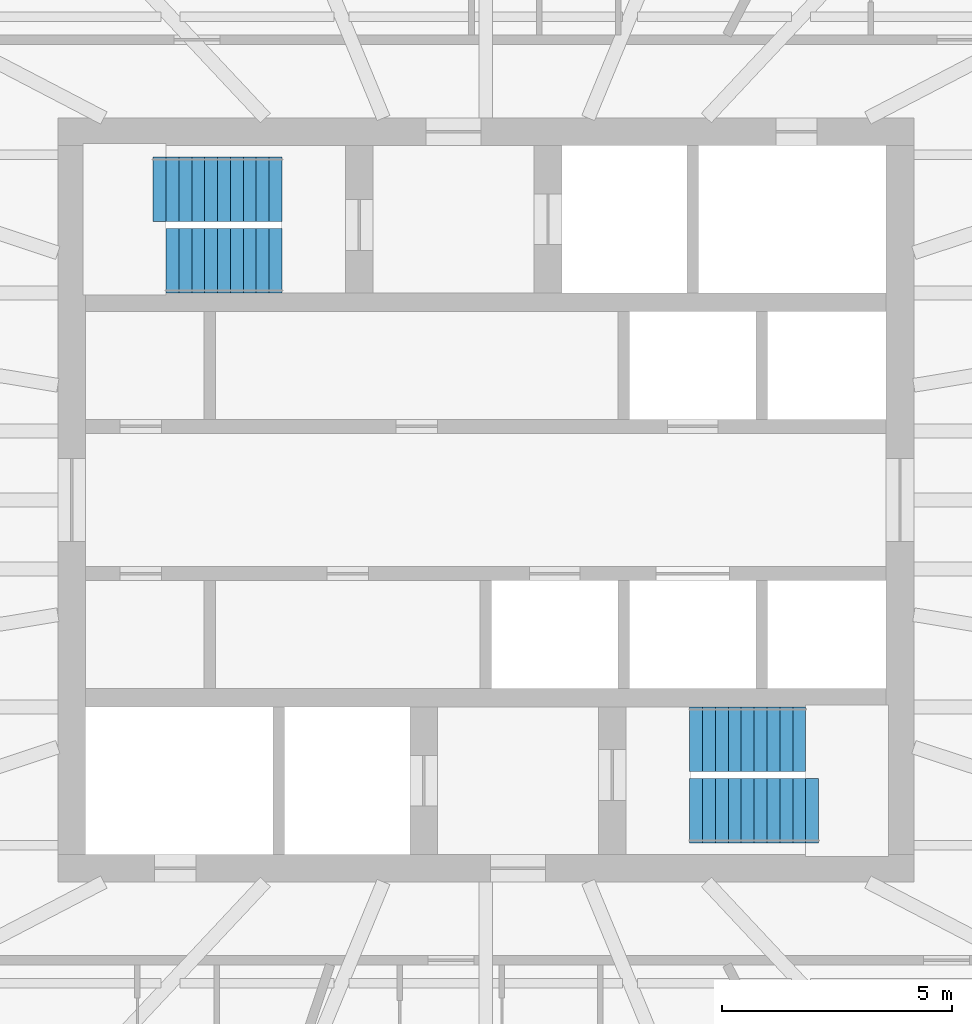
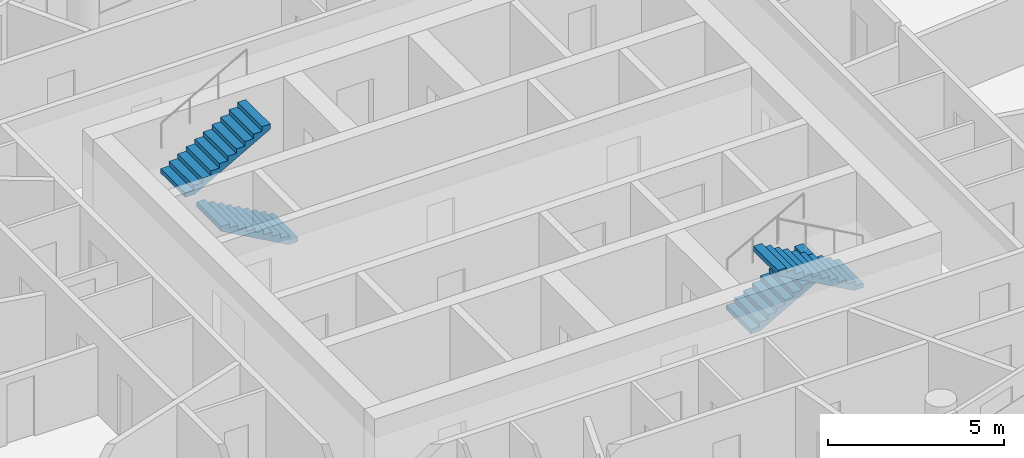
# One storey, part 10 of 11: 4 stair flights, 2 elements without a shape of their own.
"""IFC4 building model written with IfcOpenShell, lengths in metres."""

from ifc_helpers import new_model, si_unit, direction, frame, origin, place, context, subcontext, project, spatial, polyline, outline, extrude, material, type_object, element, aggregate, save


model = new_model("IFC4")

# Units and contexts
model_context = context("Model", 3, precision=1e-05, world=origin(), true_north=direction((0.0, 1.0)))
body_context = subcontext(model_context, "Body", "Model", "MODEL_VIEW")
ifc_project = project(units=[si_unit("LENGTHUNIT", "METRE"), si_unit("AREAUNIT", "SQUARE_METRE"), si_unit("VOLUMEUNIT", "CUBIC_METRE"), si_unit("PLANEANGLEUNIT", "RADIAN"), si_unit("MASSUNIT", "GRAM", prefix="KILO")], contexts=[model_context])

# Site, building, storey
site_placement = place(None, origin())
site = spatial("IfcSite", under=ifc_project, at=site_placement, CompositionType="ELEMENT")
building_placement = place(site_placement, origin())
building = spatial("IfcBuilding", under=site, at=building_placement, Name="Hankou Lantern Tower", CompositionType="ELEMENT")
storey_placement = place(building_placement, frame((0.0, 0.0, 209.39990234375)))
storey = spatial("IfcBuildingStorey", under=building, at=storey_placement, Name="L56", CompositionType="ELEMENT", Elevation=209.39990234375)

# Stair, stair flight
ifc_material_1 = material(Name="Concrete C40", Category="concrete")
stair_type = type_object("IfcStairType", Name="ST33 CORE STAIR 3300 RISE", PredefinedType="HALF_TURN_STAIR", material=ifc_material_1)
stair_1_placement = place(storey_placement, origin())
stair_1 = element("IfcStair", 1, at=stair_1_placement, inside=storey, type_object=stair_type, Name="Stair STA L56", PredefinedType="HALF_TURN_STAIR")
ifc_material_2 = material(Name="Concrete C40", Category="concrete")
stair_flight_type_1 = type_object("IfcStairFlightType", Name="CF10 CORE STAIR FLIGHT 1400 X 10 RISERS", PredefinedType="STRAIGHT", material=ifc_material_2)
stair_flight_1_placement = place(storey_placement, frame((-4.429931640625, 5.199951171875, 0.0), z_axis=(0.0, 0.0, 1.0), x_axis=(-1.0, 0.0, 0.0)))
stair_flight_1 = element("IfcStairFlight", 2, at=stair_flight_1_placement, type_object=stair_flight_type_1, Name="STA flight 1", NumberOfRisers=10, NumberOfTreads=9, PredefinedType="STRAIGHT", RiserHeight=0.157142857, TreadLength=0.28, context=body_context, shape_type="SweptSolid", body=[
    extrude(outline(polyline([(0.0, 0.0), (0.0, 0.1572265625), (0.280029296875, 0.1572265625), (0.280029296875, 0.314208984375), (0.56005859375, 0.314208984375), (0.56005859375, 0.471435546875), (0.840087890625, 0.471435546875), (0.840087890625, 0.628662109375), (1.1201171875, 0.628662109375), (1.1201171875, 0.78564453125), (1.39990234375, 0.78564453125), (1.39990234375, 0.94287109375), (1.679931640625, 0.94287109375), (1.679931640625, 1.10009765625), (1.9599609375, 1.10009765625), (1.9599609375, 1.257080078125), (2.239990234375, 1.257080078125), (2.239990234375, 1.414306640625), (2.52001953125, 1.414306640625), (2.52001953125, 1.571533203125), (2.52001953125, 1.242431640625), (0.306396484375, 0.0), (0.0, 0.0)])), frame((0.0, 0.699951171875, 0.0), z_axis=(0.0, -1.0, 0.0), x_axis=(1.0, 0.0, 0.0)), (0.0, 0.0, 1.0), 1.39990234375),
])

stair_2_placement = place(storey_placement, origin())
stair_2 = element("IfcStair", 3, at=stair_2_placement, inside=storey, type_object=stair_type, Name="Stair STB L56", PredefinedType="HALF_TURN_STAIR")
stair_flight_2_placement = place(storey_placement, frame((4.429931640625, -5.199951171875, 0.0), z_axis=(0.0, 0.0, 1.0), x_axis=(1.0, 0.0, 0.0)))
stair_flight_2 = element("IfcStairFlight", 4, at=stair_flight_2_placement, type_object=stair_flight_type_1, Name="STB flight 1", NumberOfRisers=10, NumberOfTreads=9, PredefinedType="STRAIGHT", RiserHeight=0.157142857, TreadLength=0.28, context=body_context, shape_type="SweptSolid", body=[
    extrude(outline(polyline([(0.0, 0.0), (0.0, 0.1572265625), (0.280029296875, 0.1572265625), (0.280029296875, 0.314208984375), (0.56005859375, 0.314208984375), (0.56005859375, 0.471435546875), (0.840087890625, 0.471435546875), (0.840087890625, 0.628662109375), (1.1201171875, 0.628662109375), (1.1201171875, 0.78564453125), (1.39990234375, 0.78564453125), (1.39990234375, 0.94287109375), (1.679931640625, 0.94287109375), (1.679931640625, 1.10009765625), (1.9599609375, 1.10009765625), (1.9599609375, 1.257080078125), (2.239990234375, 1.257080078125), (2.239990234375, 1.414306640625), (2.52001953125, 1.414306640625), (2.52001953125, 1.571533203125), (2.52001953125, 1.242431640625), (0.306396484375, 0.0), (0.0, 0.0)])), frame((0.0, 0.699951171875, 0.0), z_axis=(0.0, -1.0, 0.0), x_axis=(1.0, 0.0, 0.0)), (0.0, 0.0, 1.0), 1.39990234375),
])

# Stair flight
ifc_material_3 = material(Name="Concrete C40", Category="concrete")
stair_flight_type_2 = type_object("IfcStairFlightType", Name="CF11 CORE STAIR FLIGHT 1400 X 11 RISERS", PredefinedType="STRAIGHT", material=ifc_material_3)
stair_flight_3_placement = place(storey_placement, frame((-7.22998046875, 6.75, 1.571533203125), z_axis=(0.0, 0.0, 1.0), x_axis=(1.0, 0.0, 0.0)))
stair_flight_3 = element("IfcStairFlight", 5, at=stair_flight_3_placement, type_object=stair_flight_type_2, Name="STA flight 2", NumberOfRisers=11, NumberOfTreads=10, PredefinedType="STRAIGHT", RiserHeight=0.157142857, TreadLength=0.28, context=body_context, shape_type="SweptSolid", body=[
    extrude(outline(polyline([(0.0, 0.0), (0.0, 0.1572265625), (0.280029296875, 0.1572265625), (0.280029296875, 0.314208984375), (0.56005859375, 0.314208984375), (0.56005859375, 0.471435546875), (0.840087890625, 0.471435546875), (0.840087890625, 0.628662109375), (1.1201171875, 0.628662109375), (1.1201171875, 0.78564453125), (1.39990234375, 0.78564453125), (1.39990234375, 0.94287109375), (1.679931640625, 0.94287109375), (1.679931640625, 1.10009765625), (1.9599609375, 1.10009765625), (1.9599609375, 1.257080078125), (2.239990234375, 1.257080078125), (2.239990234375, 1.414306640625), (2.52001953125, 1.414306640625), (2.52001953125, 1.571533203125), (2.800048828125, 1.571533203125), (2.800048828125, 1.728515625), (2.800048828125, 1.3994140625), (0.306396484375, 0.0), (0.0, 0.0)])), frame((0.0, 0.699951171875, 0.0), z_axis=(0.0, -1.0, 0.0), x_axis=(1.0, 0.0, 0.0)), (0.0, 0.0, 1.0), 1.39990234375),
])

aggregate(stair_1, [stair_flight_1, stair_flight_3])

stair_flight_4_placement = place(storey_placement, frame((7.22998046875, -6.75, 1.571533203125), z_axis=(0.0, 0.0, 1.0), x_axis=(-1.0, 0.0, 0.0)))
stair_flight_4 = element("IfcStairFlight", 6, at=stair_flight_4_placement, type_object=stair_flight_type_2, Name="STB flight 2", NumberOfRisers=11, NumberOfTreads=10, PredefinedType="STRAIGHT", RiserHeight=0.157142857, TreadLength=0.28, context=body_context, shape_type="SweptSolid", body=[
    extrude(outline(polyline([(0.0, 0.0), (0.0, 0.1572265625), (0.280029296875, 0.1572265625), (0.280029296875, 0.314208984375), (0.56005859375, 0.314208984375), (0.56005859375, 0.471435546875), (0.840087890625, 0.471435546875), (0.840087890625, 0.628662109375), (1.1201171875, 0.628662109375), (1.1201171875, 0.78564453125), (1.39990234375, 0.78564453125), (1.39990234375, 0.94287109375), (1.679931640625, 0.94287109375), (1.679931640625, 1.10009765625), (1.9599609375, 1.10009765625), (1.9599609375, 1.257080078125), (2.239990234375, 1.257080078125), (2.239990234375, 1.414306640625), (2.52001953125, 1.414306640625), (2.52001953125, 1.571533203125), (2.800048828125, 1.571533203125), (2.800048828125, 1.728515625), (2.800048828125, 1.3994140625), (0.306396484375, 0.0), (0.0, 0.0)])), frame((0.0, 0.699951171875, 0.0), z_axis=(0.0, -1.0, 0.0), x_axis=(1.0, 0.0, 0.0)), (0.0, 0.0, 1.0), 1.39990234375),
])

aggregate(stair_2, [stair_flight_2, stair_flight_4])

save(model, "model.ifc")
